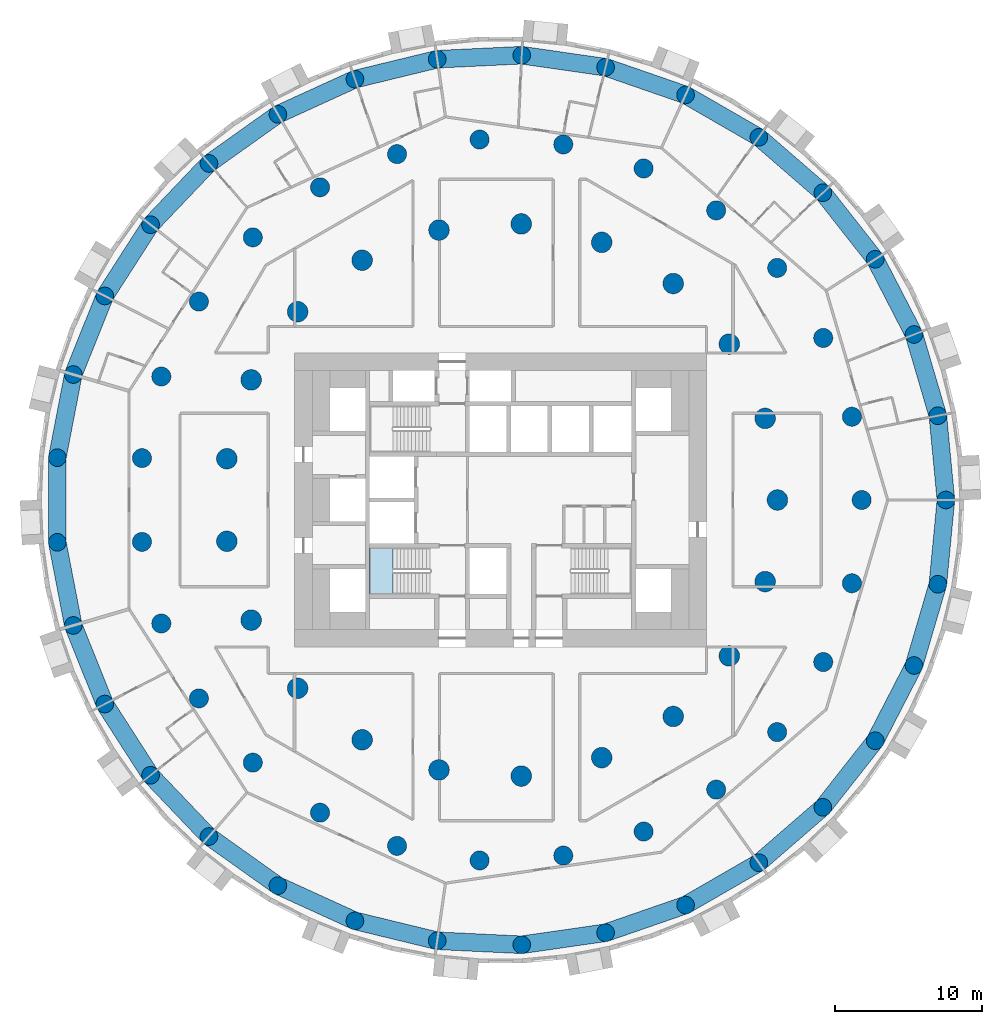
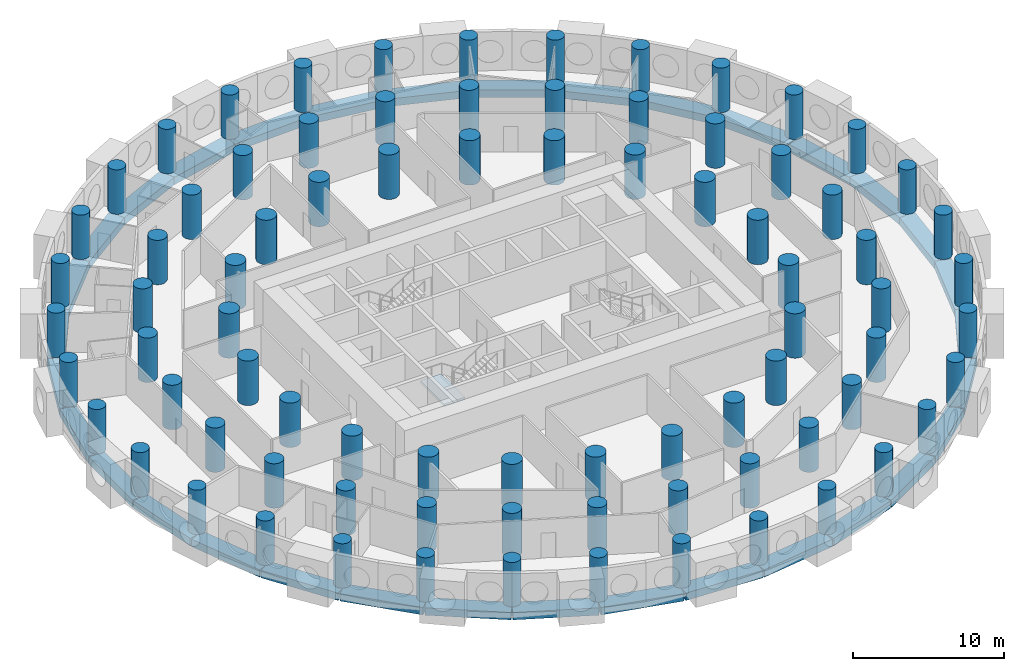
# One storey, part 1 of 12: 81 columns, 33 beams, 1 slab, 1 element without a shape of its own.
"""IFC4 building model written with IfcOpenShell, lengths in metres."""

from ifc_helpers import new_model, si_unit, direction, frame, origin, origin_2d, place, context, subcontext, project, spatial, polyline, rectangle, circle, outline, extrude, material, layer, layer_set, material_profile, profile_set, type_object, element, aggregate, save


model = new_model("IFC4")

# Units and contexts
model_context = context("Model", 3, precision=1e-05, world=origin(), true_north=direction((0.0, 1.0)))
body_context = subcontext(model_context, "Body", "Model", "MODEL_VIEW")
ifc_project = project(units=[si_unit("LENGTHUNIT", "METRE"), si_unit("AREAUNIT", "SQUARE_METRE"), si_unit("VOLUMEUNIT", "CUBIC_METRE"), si_unit("PLANEANGLEUNIT", "RADIAN"), si_unit("MASSUNIT", "GRAM", prefix="KILO")], contexts=[model_context])

# Site, building, storey
site_placement = place(None, origin())
site = spatial("IfcSite", under=ifc_project, at=site_placement, CompositionType="ELEMENT")
building_placement = place(site_placement, origin())
building = spatial("IfcBuilding", under=site, at=building_placement, Name="Tracery Tower", CompositionType="ELEMENT")
storey_placement = place(building_placement, frame((0.0, 0.0, 89.39990234375)))
storey = spatial("IfcBuildingStorey", under=building, at=storey_placement, Name="L22", CompositionType="ELEMENT", Elevation=89.39990234375)

# Columns
ifc_material_1 = material(Name="Concrete C60/75", Category="concrete")
ifc_material_profile_1 = material_profile(ifc_material_1, circle(Radius=0.60009765625, at=origin_2d()), Name="RC D1200")
ifc_profile_set_1 = profile_set([ifc_material_profile_1], Name="Concrete C60/75")
column_type_1 = type_object("IfcColumnType", Name="Ring 0 column 1200", PredefinedType="COLUMN", material=ifc_profile_set_1)
for number, where, z_axis, x_axis, name in (
    (1, (30.274658203125, 0.0, 0.0), (0.0, 0.0, 1.0), (1.0, 0.0, 0.0), "Ring 0 column 00 at L22"),
    (2, (29.7275390625, 5.7294921875, 0.0), (0.0, 0.0, 1.0), (1.0, 0.0, 0.0), "Ring 0 column 01 at L22"),
    (3, (28.10595703125, 11.251953125, 0.0), (0.0, 0.0, 1.0), (1.0, 0.0, 0.0), "Ring 0 column 02 at L22"),
    (4, (25.468505859375, 16.36767578125, 0.0), (0.0, 0.0, 1.0), (1.0, 0.0, 0.0), "Ring 0 column 03 at L22"),
    (5, (21.910888671875, 20.891845703125, 0.0), (0.0, 0.0, 1.0), (1.0, 0.0, 0.0), "Ring 0 column 04 at L22"),
    (6, (17.56103515625, 24.660888671875, 0.0), (0.0, 0.0, 1.0), (1.0, 0.0, 0.0), "Ring 0 column 05 at L22"),
    (7, (12.576416015625, 27.538818359375, 0.0), (0.0, 0.0, 1.0), (1.0, 0.0, 0.0), "Ring 0 column 06 at L22"),
    (8, (7.137451171875, 29.421142578125, 0.0), (0.0, 0.0, 1.0), (1.0, 0.0, 0.0), "Ring 0 column 07 at L22"),
    (9, (1.4404296875, 30.240234375, 0.0), (0.0, 0.0, 1.0), (1.0, 0.0, 0.0), "Ring 0 column 08 at L22"),
    (10, (-4.30859375, 29.96630859375, 0.0), (0.0, 0.0, 1.0), (1.0, 0.0, 0.0), "Ring 0 column 09 at L22"),
    (11, (-9.90185546875, 28.609619140625, 0.0), (0.0, 0.0, 1.0), (1.0, 0.0, 0.0), "Ring 0 column 10 at L22"),
    (12, (-15.13720703125, 26.218505859375, 0.0), (0.0, 0.0, 1.0), (1.0, 0.0, 0.0), "Ring 0 column 11 at L22"),
    (13, (-19.82568359375, 22.8798828125, 0.0), (0.0, 0.0, 1.0), (1.0, 0.0, 0.0), "Ring 0 column 12 at L22"),
    (14, (-23.79736328125, 18.714599609375, 0.0), (0.0, 0.0, 1.0), (1.0, 0.0, 0.0), "Ring 0 column 13 at L22"),
    (15, (-26.9091796875, 13.87255859375, 0.0), (0.0, 0.0, 1.0), (1.0, 0.0, 0.0), "Ring 0 column 14 at L22"),
    (16, (-29.04833984375, 8.529296875, 0.0), (0.0, 0.0, 1.0), (1.0, 0.0, 0.0), "Ring 0 column 15 at L22"),
    (17, (-30.137451171875, 2.877685546875, 0.0), (0.0, 0.0, 1.0), (1.0, 0.0, 0.0), "Ring 0 column 16 at L22"),
    (18, (-30.137451171875, -2.877685546875, 0.0), (0.0, 0.0, 1.0), (1.0, 0.0, 0.0), "Ring 0 column 17 at L22"),
    (19, (-29.04833984375, -8.529296875, 0.0), (0.0, 0.0, 1.0), (1.0, 0.0, 0.0), "Ring 0 column 18 at L22"),
    (20, (-26.9091796875, -13.87255859375, 0.0), (0.0, 0.0, 1.0), (1.0, 0.0, 0.0), "Ring 0 column 19 at L22"),
    (21, (-23.79736328125, -18.714599609375, 0.0), (0.0, 0.0, 1.0), (1.0, 0.0, 0.0), "Ring 0 column 20 at L22"),
    (22, (-19.82568359375, -22.8798828125, 0.0), (0.0, 0.0, 1.0), (1.0, 0.0, 0.0), "Ring 0 column 21 at L22"),
    (23, (-15.13720703125, -26.218505859375, 0.0), (0.0, 0.0, 1.0), (1.0, 0.0, 0.0), "Ring 0 column 22 at L22"),
    (24, (-9.90185546875, -28.609619140625, 0.0), (0.0, 0.0, 1.0), (1.0, 0.0, 0.0), "Ring 0 column 23 at L22"),
    (25, (-4.30859375, -29.96630859375, 0.0), (0.0, 0.0, 1.0), (1.0, 0.0, 0.0), "Ring 0 column 24 at L22"),
    (26, (1.4404296875, -30.240234375, 0.0), (0.0, 0.0, 1.0), (1.0, 0.0, 0.0), "Ring 0 column 25 at L22"),
    (27, (7.137451171875, -29.421142578125, 0.0), (0.0, 0.0, 1.0), (1.0, 0.0, 0.0), "Ring 0 column 26 at L22"),
    (28, (12.576416015625, -27.538818359375, 0.0), (0.0, 0.0, 1.0), (1.0, 0.0, 0.0), "Ring 0 column 27 at L22"),
    (29, (17.56103515625, -24.660888671875, 0.0), (0.0, 0.0, 1.0), (1.0, 0.0, 0.0), "Ring 0 column 28 at L22"),
    (30, (21.910888671875, -20.891845703125, 0.0), (0.0, 0.0, 1.0), (1.0, 0.0, 0.0), "Ring 0 column 29 at L22"),
    (31, (25.468505859375, -16.36767578125, 0.0), (0.0, 0.0, 1.0), (1.0, 0.0, 0.0), "Ring 0 column 30 at L22"),
    (32, (28.10595703125, -11.251953125, 0.0), (0.0, 0.0, 1.0), (1.0, 0.0, 0.0), "Ring 0 column 31 at L22"),
    (33, (29.7275390625, -5.7294921875, 0.0), (0.0, 0.0, 1.0), (1.0, 0.0, 0.0), "Ring 0 column 32 at L22"),
):
    element("IfcColumn", number, at=place(storey_placement, frame(where, z_axis=z_axis, x_axis=x_axis)), inside=storey, type_object=column_type_1, Name=name, PredefinedType="COLUMN", context=body_context, shape_type="SweptSolid", body=[
        extrude(circle(Radius=0.60009765625, at=origin_2d()), origin(), (0.0, 0.0, 1.0), 3.60009765625),
    ])
ifc_material_2 = material(Name="Concrete C60/75", Category="concrete")
ifc_material_profile_2 = material_profile(ifc_material_2, circle(Radius=0.64990234375, at=origin_2d()), Name="RC D1300")
ifc_profile_set_2 = profile_set([ifc_material_profile_2], Name="Concrete C60/75")
column_type_2 = type_object("IfcColumnType", Name="Ring 1 column 1300", PredefinedType="COLUMN", material=ifc_profile_set_2)
for number, where, z_axis, x_axis, name in (
    (34, (24.547607421875, 0.0, 0.0), (0.0, 0.0, 1.0), (1.0, 0.0, 0.0), "Ring 1 column 00 at L22"),
    (35, (23.885986328125, 5.6611328125, 0.0), (0.0, 0.0, 1.0), (1.0, 0.0, 0.0), "Ring 1 column 01 at L22"),
    (36, (21.9365234375, 11.01708984375, 0.0), (0.0, 0.0, 1.0), (1.0, 0.0, 0.0), "Ring 1 column 02 at L22"),
    (37, (18.8046875, 15.779052734375, 0.0), (0.0, 0.0, 1.0), (1.0, 0.0, 0.0), "Ring 1 column 03 at L22"),
    (38, (14.658935546875, 19.690185546875, 0.0), (0.0, 0.0, 1.0), (1.0, 0.0, 0.0), "Ring 1 column 04 at L22"),
    (39, (9.722900390625, 22.5400390625, 0.0), (0.0, 0.0, 1.0), (1.0, 0.0, 0.0), "Ring 1 column 05 at L22"),
    (40, (4.2626953125, 24.1748046875, 0.0), (0.0, 0.0, 1.0), (1.0, 0.0, 0.0), "Ring 1 column 06 at L22"),
    (41, (-1.42724609375, 24.506103515625, 0.0), (0.0, 0.0, 1.0), (1.0, 0.0, 0.0), "Ring 1 column 07 at L22"),
    (42, (-7.040283203125, 23.516357421875, 0.0), (0.0, 0.0, 1.0), (1.0, 0.0, 0.0), "Ring 1 column 08 at L22"),
    (43, (-12.273681640625, 21.2587890625, 0.0), (0.0, 0.0, 1.0), (1.0, 0.0, 0.0), "Ring 1 column 09 at L22"),
    (44, (-16.845703125, 17.855224609375, 0.0), (0.0, 0.0, 1.0), (1.0, 0.0, 0.0), "Ring 1 column 10 at L22"),
    (45, (-20.50927734375, 13.4892578125, 0.0), (0.0, 0.0, 1.0), (1.0, 0.0, 0.0), "Ring 1 column 11 at L22"),
    (46, (-23.0673828125, 8.395751953125, 0.0), (0.0, 0.0, 1.0), (1.0, 0.0, 0.0), "Ring 1 column 12 at L22"),
    (47, (-24.381591796875, 2.849853515625, 0.0), (0.0, 0.0, 1.0), (1.0, 0.0, 0.0), "Ring 1 column 13 at L22"),
    (48, (-24.381591796875, -2.849853515625, 0.0), (0.0, 0.0, 1.0), (1.0, 0.0, 0.0), "Ring 1 column 14 at L22"),
    (49, (-23.0673828125, -8.395751953125, 0.0), (0.0, 0.0, 1.0), (1.0, 0.0, 0.0), "Ring 1 column 15 at L22"),
    (50, (-20.50927734375, -13.4892578125, 0.0), (0.0, 0.0, 1.0), (1.0, 0.0, 0.0), "Ring 1 column 16 at L22"),
    (51, (-16.845703125, -17.85546875, 0.0), (0.0, 0.0, 1.0), (1.0, 0.0, 0.0), "Ring 1 column 17 at L22"),
    (52, (-12.27392578125, -21.2587890625, 0.0), (0.0, 0.0, 1.0), (1.0, 0.0, 0.0), "Ring 1 column 18 at L22"),
    (53, (-7.040283203125, -23.516357421875, 0.0), (0.0, 0.0, 1.0), (1.0, 0.0, 0.0), "Ring 1 column 19 at L22"),
    (54, (-1.42724609375, -24.506103515625, 0.0), (0.0, 0.0, 1.0), (1.0, 0.0, 0.0), "Ring 1 column 20 at L22"),
    (55, (4.2626953125, -24.1748046875, 0.0), (0.0, 0.0, 1.0), (1.0, 0.0, 0.0), "Ring 1 column 21 at L22"),
    (56, (9.722900390625, -22.5400390625, 0.0), (0.0, 0.0, 1.0), (1.0, 0.0, 0.0), "Ring 1 column 22 at L22"),
    (57, (14.658935546875, -19.690185546875, 0.0), (0.0, 0.0, 1.0), (1.0, 0.0, 0.0), "Ring 1 column 23 at L22"),
    (58, (18.8046875, -15.779052734375, 0.0), (0.0, 0.0, 1.0), (1.0, 0.0, 0.0), "Ring 1 column 24 at L22"),
    (59, (21.9365234375, -11.01708984375, 0.0), (0.0, 0.0, 1.0), (1.0, 0.0, 0.0), "Ring 1 column 25 at L22"),
    (60, (23.885986328125, -5.6611328125, 0.0), (0.0, 0.0, 1.0), (1.0, 0.0, 0.0), "Ring 1 column 26 at L22"),
):
    element("IfcColumn", number, at=place(storey_placement, frame(where, z_axis=z_axis, x_axis=x_axis)), inside=storey, type_object=column_type_2, Name=name, PredefinedType="COLUMN", context=body_context, shape_type="SweptSolid", body=[
        extrude(circle(Radius=0.64990234375, at=origin_2d()), origin(), (0.0, 0.0, 1.0), 3.60009765625),
    ])
ifc_material_3 = material(Name="Concrete C60/75", Category="concrete")
ifc_material_profile_3 = material_profile(ifc_material_3, circle(Radius=0.699951171875, at=origin_2d()), Name="RC D1400")
ifc_profile_set_3 = profile_set([ifc_material_profile_3], Name="Concrete C60/75")
column_type_3 = type_object("IfcColumnType", Name="Ring 2 column 1400", PredefinedType="COLUMN", material=ifc_profile_set_3)
for number, where, z_axis, x_axis, name in (
    (61, (18.822265625, 0.0, 0.0), (0.0, 0.0, 1.0), (1.0, 0.0, 0.0), "Ring 2 column 00 at L22"),
    (62, (17.986083984375, 5.5478515625, 0.0), (0.0, 0.0, 1.0), (1.0, 0.0, 0.0), "Ring 2 column 01 at L22"),
    (63, (15.551513671875, 10.602783203125, 0.0), (0.0, 0.0, 1.0), (1.0, 0.0, 0.0), "Ring 2 column 02 at L22"),
    (64, (11.7353515625, 14.7158203125, 0.0), (0.0, 0.0, 1.0), (1.0, 0.0, 0.0), "Ring 2 column 03 at L22"),
    (65, (6.87646484375, 17.52099609375, 0.0), (0.0, 0.0, 1.0), (1.0, 0.0, 0.0), "Ring 2 column 04 at L22"),
    (66, (1.406494140625, 18.76953125, 0.0), (0.0, 0.0, 1.0), (1.0, 0.0, 0.0), "Ring 2 column 05 at L22"),
    (67, (-4.188232421875, 18.350341796875, 0.0), (0.0, 0.0, 1.0), (1.0, 0.0, 0.0), "Ring 2 column 06 at L22"),
    (68, (-9.4111328125, 16.300537109375, 0.0), (0.0, 0.0, 1.0), (1.0, 0.0, 0.0), "Ring 2 column 07 at L22"),
    (69, (-13.797607421875, 12.802490234375, 0.0), (0.0, 0.0, 1.0), (1.0, 0.0, 0.0), "Ring 2 column 08 at L22"),
    (70, (-16.958251953125, 8.16650390625, 0.0), (0.0, 0.0, 1.0), (1.0, 0.0, 0.0), "Ring 2 column 09 at L22"),
    (71, (-18.612060546875, 2.805419921875, 0.0), (0.0, 0.0, 1.0), (1.0, 0.0, 0.0), "Ring 2 column 10 at L22"),
    (72, (-18.612060546875, -2.805419921875, 0.0), (0.0, 0.0, 1.0), (1.0, 0.0, 0.0), "Ring 2 column 11 at L22"),
    (73, (-16.958251953125, -8.166748046875, 0.0), (0.0, 0.0, 1.0), (1.0, 0.0, 0.0), "Ring 2 column 12 at L22"),
    (74, (-13.797607421875, -12.80224609375, 0.0), (0.0, 0.0, 1.0), (1.0, 0.0, 0.0), "Ring 2 column 13 at L22"),
    (75, (-9.4111328125, -16.300537109375, 0.0), (0.0, 0.0, 1.0), (1.0, 0.0, 0.0), "Ring 2 column 14 at L22"),
    (76, (-4.188232421875, -18.350341796875, 0.0), (0.0, 0.0, 1.0), (1.0, 0.0, 0.0), "Ring 2 column 15 at L22"),
    (77, (1.406494140625, -18.76953125, 0.0), (0.0, 0.0, 1.0), (1.0, 0.0, 0.0), "Ring 2 column 16 at L22"),
    (78, (6.87646484375, -17.52099609375, 0.0), (0.0, 0.0, 1.0), (1.0, 0.0, 0.0), "Ring 2 column 17 at L22"),
    (79, (11.7353515625, -14.7158203125, 0.0), (0.0, 0.0, 1.0), (1.0, 0.0, 0.0), "Ring 2 column 18 at L22"),
    (80, (15.551513671875, -10.602783203125, 0.0), (0.0, 0.0, 1.0), (1.0, 0.0, 0.0), "Ring 2 column 19 at L22"),
    (81, (17.986083984375, -5.5478515625, 0.0), (0.0, 0.0, 1.0), (1.0, 0.0, 0.0), "Ring 2 column 20 at L22"),
):
    element("IfcColumn", number, at=place(storey_placement, frame(where, z_axis=z_axis, x_axis=x_axis)), inside=storey, type_object=column_type_3, Name=name, PredefinedType="COLUMN", context=body_context, shape_type="SweptSolid", body=[
        extrude(circle(Radius=0.699951171875, at=origin_2d()), origin(), (0.0, 0.0, 1.0), 3.60009765625),
    ])

# Beams
ifc_material_4 = material(Name="Concrete C60/75", Category="concrete")
ifc_material_profile_4 = material_profile(ifc_material_4, rectangle(XDim=1.199951171875, YDim=0.60009765625, at=origin_2d()), Name="RC 1200x600")
ifc_profile_set_4 = profile_set([ifc_material_profile_4], Name="Concrete C60/75")
beam_type = type_object("IfcBeamType", Name="Perimeter band beam 1200x600", PredefinedType="BEAM", material=ifc_profile_set_4)
for number, where, z_axis, x_axis, name in (
    (82, (30.274658203125, 0.0, -0.75), (-0.095059309677, 0.995471610667, 0.0), (-0.995471610667, -0.095059309677, 0.0), "Perimeter beam 0.00 under L22"),
    (83, (29.7275390625, 5.7294921875, -0.75), (-0.281739145896, 0.959491038869, 0.0), (-0.959491038869, -0.281739145896, 0.0), "Perimeter beam 0.01 under L22"),
    (84, (28.10595703125, 11.251953125, -0.75), (-0.458242010493, 0.88882746347, 0.0), (-0.88882746347, -0.458242010493, 0.0), "Perimeter beam 0.02 under L22"),
):
    element("IfcBeam", number, at=place(storey_placement, frame(where, z_axis=z_axis, x_axis=x_axis)), inside=storey, type_object=beam_type, Name=name, PredefinedType="BEAM", context=body_context, shape_type="SweptSolid", body=[
        extrude(rectangle(XDim=1.199951171875, YDim=0.60009765625, at=origin_2d()), origin(), (0.0, 0.0, 1.0), 5.755615234375),
    ])
beam_1_placement = place(storey_placement, frame((25.468505859375, 16.36767578125, -0.75), z_axis=(-0.618134362257, 0.786072458618, 0.0), x_axis=(-0.786072458618, -0.618134362257, 0.0)))
element("IfcBeam", 85, at=beam_1_placement, inside=storey, type_object=beam_type, Name="Perimeter beam 0.03 under L22", PredefinedType="BEAM", context=body_context, shape_type="SweptSolid", body=[
    extrude(rectangle(XDim=1.199951171875, YDim=0.60009765625, at=origin_2d()), origin(), (0.0, 0.0, 1.0), 5.75537109375),
])
beam_2_placement = place(storey_placement, frame((21.910888671875, 20.891845703125, -0.75), z_axis=(-0.755760456715, 0.65484817482, 0.0), x_axis=(-0.65484817482, -0.755760456715, 0.0)))
element("IfcBeam", 86, at=beam_2_placement, inside=storey, type_object=beam_type, Name="Perimeter beam 0.04 under L22", PredefinedType="BEAM", context=body_context, shape_type="SweptSolid", body=[
    extrude(rectangle(XDim=1.199951171875, YDim=0.60009765625, at=origin_2d()), origin(), (0.0, 0.0, 1.0), 5.755615234375),
])
beam_3_placement = place(storey_placement, frame((17.56103515625, 24.660888671875, -0.75), z_axis=(-0.866021003874, 0.50000762079, 0.0), x_axis=(-0.50000762079, -0.866021003874, 0.0)))
element("IfcBeam", 87, at=beam_3_placement, inside=storey, type_object=beam_type, Name="Perimeter beam 0.05 under L22", PredefinedType="BEAM", context=body_context, shape_type="SweptSolid", body=[
    extrude(rectangle(XDim=1.199951171875, YDim=0.60009765625, at=origin_2d()), origin(), (0.0, 0.0, 1.0), 5.755859375),
])
beam_4_placement = place(storey_placement, frame((12.576416015625, 27.538818359375, -0.75), z_axis=(-0.945007252869, 0.327049372458, 0.0), x_axis=(-0.327049372458, -0.945007252869, 0.0)))
element("IfcBeam", 88, at=beam_4_placement, inside=storey, type_object=beam_type, Name="Perimeter beam 0.06 under L22", PredefinedType="BEAM", context=body_context, shape_type="SweptSolid", body=[
    extrude(rectangle(XDim=1.199951171875, YDim=0.60009765625, at=origin_2d()), origin(), (0.0, 0.0, 1.0), 5.75537109375),
])
for number, where, z_axis, x_axis, name in (
    (89, (7.137451171875, 29.421142578125, -0.75), (-0.989821839174, 0.142312075013, 0.0), (-0.142312075013, -0.989821839174, 0.0), "Perimeter beam 0.07 under L22"),
    (90, (1.4404296875, 30.240234375, -0.75), (-0.998866793759, -0.047593364303, 0.0), (0.047593364303, -0.998866793759, 0.0), "Perimeter beam 0.08 under L22"),
):
    element("IfcBeam", number, at=place(storey_placement, frame(where, z_axis=z_axis, x_axis=x_axis)), inside=storey, type_object=beam_type, Name=name, PredefinedType="BEAM", context=body_context, shape_type="SweptSolid", body=[
        extrude(rectangle(XDim=1.199951171875, YDim=0.60009765625, at=origin_2d()), origin(), (0.0, 0.0, 1.0), 5.755615234375),
    ])
beam_5_placement = place(storey_placement, frame((-4.30859375, 29.96630859375, -0.75), z_axis=(-0.971820371509, -0.235722645328, 0.0), x_axis=(0.235722645328, -0.971820371509, 0.0)))
element("IfcBeam", 91, at=beam_5_placement, inside=storey, type_object=beam_type, Name="Perimeter beam 0.09 under L22", PredefinedType="BEAM", context=body_context, shape_type="SweptSolid", body=[
    extrude(rectangle(XDim=1.199951171875, YDim=0.60009765625, at=origin_2d()), origin(), (0.0, 0.0, 1.0), 5.75537109375),
])
for number, where, z_axis, x_axis, name in (
    (92, (-9.90185546875, 28.609619140625, -0.75), (-0.909618316865, -0.415444963411, 0.0), (0.415444963411, -0.909618316865, 0.0), "Perimeter beam 0.10 under L22"),
    (93, (-15.13720703125, 26.218505859375, -0.75), (-0.8145780864, -0.580053912285, 0.0), (0.580053912285, -0.8145780864, 0.0), "Perimeter beam 0.11 under L22"),
):
    element("IfcBeam", number, at=place(storey_placement, frame(where, z_axis=z_axis, x_axis=x_axis)), inside=storey, type_object=beam_type, Name=name, PredefinedType="BEAM", context=body_context, shape_type="SweptSolid", body=[
        extrude(rectangle(XDim=1.199951171875, YDim=0.60009765625, at=origin_2d()), origin(), (0.0, 0.0, 1.0), 5.755615234375),
    ])
beam_6_placement = place(storey_placement, frame((-19.82568359375, 22.8798828125, -0.75), z_axis=(-0.690087218267, -0.723726212863, 0.0), x_axis=(0.723726212863, -0.690087218267, 0.0)))
element("IfcBeam", 94, at=beam_6_placement, inside=storey, type_object=beam_type, Name="Perimeter beam 0.12 under L22", PredefinedType="BEAM", context=body_context, shape_type="SweptSolid", body=[
    extrude(rectangle(XDim=1.199951171875, YDim=0.60009765625, at=origin_2d()), origin(), (0.0, 0.0, 1.0), 5.75537109375),
])
beam_7_placement = place(storey_placement, frame((-23.79736328125, 18.714599609375, -0.75), z_axis=(-0.540643964602, -0.841251510274, 0.0), x_axis=(0.841251510274, -0.540643964602, 0.0)))
element("IfcBeam", 95, at=beam_7_placement, inside=storey, type_object=beam_type, Name="Perimeter beam 0.13 under L22", PredefinedType="BEAM", context=body_context, shape_type="SweptSolid", body=[
    extrude(rectangle(XDim=1.199951171875, YDim=0.60009765625, at=origin_2d()), origin(), (0.0, 0.0, 1.0), 5.755859375),
])
for number, where, z_axis, x_axis, name in (
    (96, (-26.9091796875, 13.87255859375, -0.75), (-0.371668572289, -0.928365484264, 0.0), (0.928365484264, -0.371668572289, 0.0), "Perimeter beam 0.14 under L22"),
    (97, (-29.04833984375, 8.529296875, -0.75), (-0.189226539295, -0.981933458451, 0.0), (0.981933458451, -0.189226539295, 0.0), "Perimeter beam 0.15 under L22"),
):
    element("IfcBeam", number, at=place(storey_placement, frame(where, z_axis=z_axis, x_axis=x_axis)), inside=storey, type_object=beam_type, Name=name, PredefinedType="BEAM", context=body_context, shape_type="SweptSolid", body=[
        extrude(rectangle(XDim=1.199951171875, YDim=0.60009765625, at=origin_2d()), origin(), (0.0, 0.0, 1.0), 5.755615234375),
    ])
beam_8_placement = place(storey_placement, frame((-30.137451171875, 2.877685546875, -0.75), z_axis=(0.0, -1.0, 0.0), x_axis=(1.0, 0.0, 0.0)))
element("IfcBeam", 98, at=beam_8_placement, inside=storey, type_object=beam_type, Name="Perimeter beam 0.16 under L22", PredefinedType="BEAM", context=body_context, shape_type="SweptSolid", body=[
    extrude(rectangle(XDim=1.199951171875, YDim=0.60009765625, at=origin_2d()), origin(), (0.0, 0.0, 1.0), 5.75537109375),
])
for number, where, z_axis, x_axis, name in (
    (99, (-30.137451171875, -2.877685546875, -0.75), (0.189226539295, -0.981933458451, 0.0), (0.981933458451, 0.189226539295, 0.0), "Perimeter beam 0.17 under L22"),
    (100, (-29.04833984375, -8.529296875, -0.75), (0.371668572289, -0.928365484264, 0.0), (0.928365484264, 0.371668572289, 0.0), "Perimeter beam 0.18 under L22"),
):
    element("IfcBeam", number, at=place(storey_placement, frame(where, z_axis=z_axis, x_axis=x_axis)), inside=storey, type_object=beam_type, Name=name, PredefinedType="BEAM", context=body_context, shape_type="SweptSolid", body=[
        extrude(rectangle(XDim=1.199951171875, YDim=0.60009765625, at=origin_2d()), origin(), (0.0, 0.0, 1.0), 5.755615234375),
    ])
beam_9_placement = place(storey_placement, frame((-26.9091796875, -13.87255859375, -0.75), z_axis=(0.540643964602, -0.841251510274, 0.0), x_axis=(0.841251510274, 0.540643964602, 0.0)))
element("IfcBeam", 101, at=beam_9_placement, inside=storey, type_object=beam_type, Name="Perimeter beam 0.19 under L22", PredefinedType="BEAM", context=body_context, shape_type="SweptSolid", body=[
    extrude(rectangle(XDim=1.199951171875, YDim=0.60009765625, at=origin_2d()), origin(), (0.0, 0.0, 1.0), 5.755859375),
])
beam_10_placement = place(storey_placement, frame((-23.79736328125, -18.714599609375, -0.75), z_axis=(0.690087218267, -0.723726212863, 0.0), x_axis=(0.723726212863, 0.690087218267, 0.0)))
element("IfcBeam", 102, at=beam_10_placement, inside=storey, type_object=beam_type, Name="Perimeter beam 0.20 under L22", PredefinedType="BEAM", context=body_context, shape_type="SweptSolid", body=[
    extrude(rectangle(XDim=1.199951171875, YDim=0.60009765625, at=origin_2d()), origin(), (0.0, 0.0, 1.0), 5.75537109375),
])
for number, where, z_axis, x_axis, name in (
    (103, (-19.82568359375, -22.8798828125, -0.75), (0.8145780864, -0.580053912285, 0.0), (0.580053912285, 0.8145780864, 0.0), "Perimeter beam 0.21 under L22"),
    (104, (-15.13720703125, -26.218505859375, -0.75), (0.909618316865, -0.415444963411, 0.0), (0.415444963411, 0.909618316865, 0.0), "Perimeter beam 0.22 under L22"),
):
    element("IfcBeam", number, at=place(storey_placement, frame(where, z_axis=z_axis, x_axis=x_axis)), inside=storey, type_object=beam_type, Name=name, PredefinedType="BEAM", context=body_context, shape_type="SweptSolid", body=[
        extrude(rectangle(XDim=1.199951171875, YDim=0.60009765625, at=origin_2d()), origin(), (0.0, 0.0, 1.0), 5.755615234375),
    ])
beam_11_placement = place(storey_placement, frame((-9.90185546875, -28.609619140625, -0.75), z_axis=(0.971820371509, -0.235722645328, 0.0), x_axis=(0.235722645328, 0.971820371509, 0.0)))
element("IfcBeam", 105, at=beam_11_placement, inside=storey, type_object=beam_type, Name="Perimeter beam 0.23 under L22", PredefinedType="BEAM", context=body_context, shape_type="SweptSolid", body=[
    extrude(rectangle(XDim=1.199951171875, YDim=0.60009765625, at=origin_2d()), origin(), (0.0, 0.0, 1.0), 5.75537109375),
])
for number, where, z_axis, x_axis, name in (
    (106, (-4.30859375, -29.96630859375, -0.75), (0.998866793759, -0.047593364303, 0.0), (0.047593364303, 0.998866793759, 0.0), "Perimeter beam 0.24 under L22"),
    (107, (1.4404296875, -30.240234375, -0.75), (0.989821839174, 0.142312075013, 0.0), (-0.142312075013, 0.989821839174, 0.0), "Perimeter beam 0.25 under L22"),
):
    element("IfcBeam", number, at=place(storey_placement, frame(where, z_axis=z_axis, x_axis=x_axis)), inside=storey, type_object=beam_type, Name=name, PredefinedType="BEAM", context=body_context, shape_type="SweptSolid", body=[
        extrude(rectangle(XDim=1.199951171875, YDim=0.60009765625, at=origin_2d()), origin(), (0.0, 0.0, 1.0), 5.755615234375),
    ])
beam_12_placement = place(storey_placement, frame((7.137451171875, -29.421142578125, -0.75), z_axis=(0.945007252869, 0.327049372458, 0.0), x_axis=(-0.327049372458, 0.945007252869, 0.0)))
element("IfcBeam", 108, at=beam_12_placement, inside=storey, type_object=beam_type, Name="Perimeter beam 0.26 under L22", PredefinedType="BEAM", context=body_context, shape_type="SweptSolid", body=[
    extrude(rectangle(XDim=1.199951171875, YDim=0.60009765625, at=origin_2d()), origin(), (0.0, 0.0, 1.0), 5.75537109375),
])
beam_13_placement = place(storey_placement, frame((12.576416015625, -27.538818359375, -0.75), z_axis=(0.866021003874, 0.50000762079, 0.0), x_axis=(-0.50000762079, 0.866021003874, 0.0)))
element("IfcBeam", 109, at=beam_13_placement, inside=storey, type_object=beam_type, Name="Perimeter beam 0.27 under L22", PredefinedType="BEAM", context=body_context, shape_type="SweptSolid", body=[
    extrude(rectangle(XDim=1.199951171875, YDim=0.60009765625, at=origin_2d()), origin(), (0.0, 0.0, 1.0), 5.755859375),
])
beam_14_placement = place(storey_placement, frame((17.56103515625, -24.660888671875, -0.75), z_axis=(0.755760456715, 0.65484817482, 0.0), x_axis=(-0.65484817482, 0.755760456715, 0.0)))
element("IfcBeam", 110, at=beam_14_placement, inside=storey, type_object=beam_type, Name="Perimeter beam 0.28 under L22", PredefinedType="BEAM", context=body_context, shape_type="SweptSolid", body=[
    extrude(rectangle(XDim=1.199951171875, YDim=0.60009765625, at=origin_2d()), origin(), (0.0, 0.0, 1.0), 5.755615234375),
])
beam_15_placement = place(storey_placement, frame((21.910888671875, -20.891845703125, -0.75), z_axis=(0.618134362257, 0.786072458618, 0.0), x_axis=(-0.786072458618, 0.618134362257, 0.0)))
element("IfcBeam", 111, at=beam_15_placement, inside=storey, type_object=beam_type, Name="Perimeter beam 0.29 under L22", PredefinedType="BEAM", context=body_context, shape_type="SweptSolid", body=[
    extrude(rectangle(XDim=1.199951171875, YDim=0.60009765625, at=origin_2d()), origin(), (0.0, 0.0, 1.0), 5.75537109375),
])
for number, where, z_axis, x_axis, name in (
    (112, (25.468505859375, -16.36767578125, -0.75), (0.458242010493, 0.88882746347, 0.0), (-0.88882746347, 0.458242010493, 0.0), "Perimeter beam 0.30 under L22"),
    (113, (28.10595703125, -11.251953125, -0.75), (0.281739145896, 0.959491038869, 0.0), (-0.959491038869, 0.281739145896, 0.0), "Perimeter beam 0.31 under L22"),
    (114, (29.7275390625, -5.7294921875, -0.75), (0.095059309677, 0.995471610667, 0.0), (-0.995471610667, 0.095059309677, 0.0), "Perimeter beam 0.32 under L22"),
):
    element("IfcBeam", number, at=place(storey_placement, frame(where, z_axis=z_axis, x_axis=x_axis)), inside=storey, type_object=beam_type, Name=name, PredefinedType="BEAM", context=body_context, shape_type="SweptSolid", body=[
        extrude(rectangle(XDim=1.199951171875, YDim=0.60009765625, at=origin_2d()), origin(), (0.0, 0.0, 1.0), 5.755615234375),
    ])

# Stair, slab
ifc_material_5 = material(Name="Concrete C32/40", Category="concrete")
stair_type = type_object("IfcStairType", Name="Core stair 22 risers", PredefinedType="HALF_TURN_STAIR", material=ifc_material_5)
stair_placement = place(storey_placement, origin())
stair = element("IfcStair", 115, at=stair_placement, inside=storey, type_object=stair_type, Name="L22 stair ST1", PredefinedType="HALF_TURN_STAIR")
ifc_material_6 = material(Name="Concrete C32/40", Category="concrete")
ifc_layer = layer(ifc_material_6, 0.199951171875)
ifc_layer_set = layer_set([ifc_layer], Name="Stair landing slab 200")
slab_type = type_object("IfcSlabType", Name="Stair landing slab 200", PredefinedType="LANDING", material=ifc_layer_set)
slab_placement = place(storey_placement, frame((0.0, 0.0, 1.60009765625)))
slab = element("IfcSlab", 116, at=slab_placement, type_object=slab_type, Name="ST1 landing 1", PredefinedType="LANDING", context=body_context, shape_type="SweptSolid", body=[
    extrude(outline(polyline([(-7.29931640625, -3.25), (-8.89990234375, -3.25), (-8.89990234375, -6.39990234375), (-7.29931640625, -6.39990234375), (-7.29931640625, -3.25)])), origin(), (0.0, 0.0, 1.0), 0.199951171875),
])
aggregate(stair, [slab])

save(model, "model.ifc")
